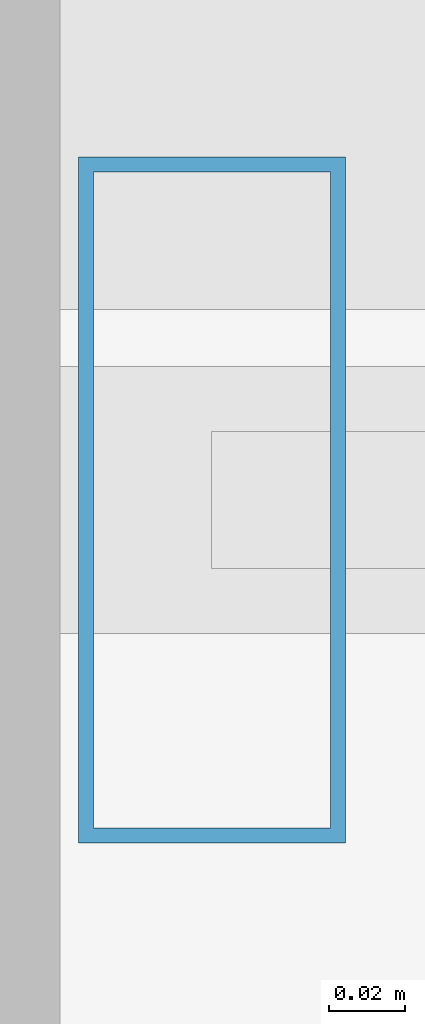
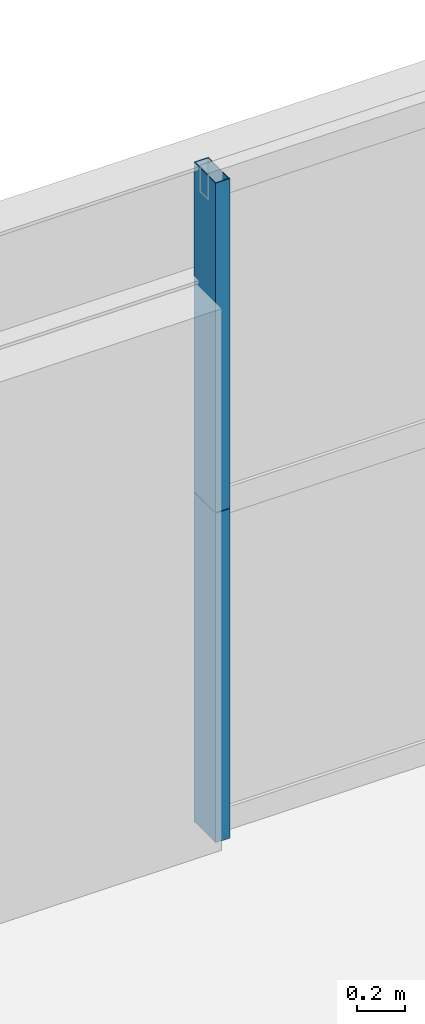
# One storey, part 25 of 41: 2 members, 1 element without a shape of its own.
"""IFC4 building model written with IfcOpenShell, lengths in metres."""

import ifcopenshell
import ifcopenshell.guid

model = None  # the IFC model being written
_history = None  # IfcOwnerHistory: only IFC2X3 demands one
_inside = {}  # id of a spatial element -> (the spatial element, [elements in it])
_under = {}  # id of a project, library or spatial element -> (it, [spatial elements below it])
_declared = {}  # id of a project -> (the project, [libraries it declares])
_typed = {}  # id of a type object -> (the type object, [elements of that type])
_made_of = {}  # id of a material, layer set ... -> (it, [elements and type objects made of it])


def new_model(schema):
    """Start an empty IFC model of exactly this schema.

    Asked for "IFC4X3", IfcOpenShell would pick the latest addendum, in which some entities
    have other attributes; the version numbers below select the first issue.
    IFC2X3 requires an IfcOwnerHistory on every rooted entity: one is made here for all.
    """
    global model, _history
    if schema == "IFC4X3":
        model = ifcopenshell.file(schema_version=(4, 3, 0, 0))
    else:
        model = ifcopenshell.file(schema=schema)
    _inside.clear()
    _under.clear()
    _declared.clear()
    _typed.clear()
    _made_of.clear()
    _history = None
    if model.schema == "IFC2X3":
        org = make("IfcOrganization", Name="unknown")
        user = make(
            "IfcPersonAndOrganization",
            ThePerson=make("IfcPerson", FamilyName="unknown"),
            TheOrganization=org,
        )
        app = make(
            "IfcApplication",
            ApplicationDeveloper=org,
            Version="unknown",
            ApplicationFullName="unknown",
            ApplicationIdentifier="unknown",
        )
        _history = make(
            "IfcOwnerHistory",
            OwningUser=user,
            OwningApplication=app,
            ChangeAction="ADDED",
            CreationDate=0,
        )
    return model


def make(cls, **values):
    """One entity of the class cls with the attributes given. An attribute that is None is left unset."""
    return model.create_entity(
        cls, **{name: value for name, value in values.items() if value is not None}
    )


def rooted(cls, **values):
    """An entity with a GlobalId (a new one), such as an element, a storey or a relation."""
    return make(cls, GlobalId=ifcopenshell.guid.new(), OwnerHistory=_history, **values)


def si_unit(unit_type, name, prefix=None):
    """IfcSIUnit, for example si_unit("LENGTHUNIT", "METRE", prefix="MILLI")."""
    return make("IfcSIUnit", UnitType=unit_type, Prefix=prefix, Name=name)


def assignment(units):
    """IfcUnitAssignment: the units of a project."""
    return None if units is None else make("IfcUnitAssignment", Units=units)


def point(xyz):
    """IfcCartesianPoint."""
    return None if xyz is None else make("IfcCartesianPoint", Coordinates=xyz)


def direction(xyz):
    """IfcDirection."""
    return None if xyz is None else make("IfcDirection", DirectionRatios=xyz)


def frame(location, z_axis=None, x_axis=None):
    """IfcAxis2Placement3D, a coordinate frame: its origin and axes. An axis left out is left unset."""
    return make(
        "IfcAxis2Placement3D",
        Location=point(location),
        Axis=direction(z_axis),
        RefDirection=direction(x_axis),
    )


def frame_2d(location, x_axis=None):
    """IfcAxis2Placement2D, a coordinate frame in the plane: its origin and x axis."""
    return make(
        "IfcAxis2Placement2D", Location=point(location), RefDirection=direction(x_axis)
    )


def origin():
    """The frame at (0, 0, 0) with its axes left unset."""
    return frame((0.0, 0.0, 0.0))


def origin_2d():
    """The frame at (0, 0) in the plane with its x axis left unset."""
    return frame_2d((0.0, 0.0))


def place(relative_to, where):
    """IfcLocalPlacement: puts the frame where relative to a parent placement (None: the world)."""
    return make(
        "IfcLocalPlacement", PlacementRelTo=relative_to, RelativePlacement=where
    )


def context(
    kind, dimensions, precision=None, world=None, true_north=None, identifier=None
):
    """IfcGeometricRepresentationContext, for example the 3D "Model" context."""
    return make(
        "IfcGeometricRepresentationContext",
        ContextIdentifier=identifier,
        ContextType=kind,
        CoordinateSpaceDimension=dimensions,
        Precision=precision,
        WorldCoordinateSystem=world,
        TrueNorth=true_north,
    )


def subcontext(parent, identifier, kind, view, scale=None):
    """IfcGeometricRepresentationSubContext, for example "Body" below "Model"."""
    return make(
        "IfcGeometricRepresentationSubContext",
        ContextIdentifier=identifier,
        ContextType=kind,
        ParentContext=parent,
        TargetScale=scale,
        TargetView=view,
    )


def project(units=None, contexts=None):
    """IfcProject with its units and contexts."""
    return rooted(
        "IfcProject",
        Name="project",
        RepresentationContexts=contexts,
        UnitsInContext=assignment(units),
    )


def spatial(cls, under=None, at=None, **own):
    """A site, building, storey or space (cls), placed at a placement, below another one or the project."""
    s = rooted(cls, ObjectPlacement=at, **own)
    if under is not None:
        _under.setdefault(under.id(), (under, []))[1].append(s)
    return s


def profile(cls, at=None, kind="AREA", **sizes):
    """A parametric profile (cls). Its sizes go by their IFC names, for example OverallWidth=200.0."""
    return make(cls, ProfileType=kind, Position=at, **sizes)


def hollow_rectangle(**sizes):
    """IfcRectangleHollowProfileDef."""
    return profile("IfcRectangleHollowProfileDef", **sizes)


def extrude(swept, where, along, depth):
    """IfcExtrudedAreaSolid: the profile swept, set in the frame where, extruded along a direction by depth."""
    return make(
        "IfcExtrudedAreaSolid",
        SweptArea=swept,
        Position=where,
        ExtrudedDirection=direction(along),
        Depth=depth,
    )


def shape(context_of_items, identifier, shape_type, items):
    """IfcShapeRepresentation: the items that make up one representation, for example the "Body"."""
    return make(
        "IfcShapeRepresentation",
        ContextOfItems=context_of_items,
        RepresentationIdentifier=identifier,
        RepresentationType=shape_type,
        Items=items,
    )


def source(mapping_origin, context_of_items, identifier, shape_type, items):
    """IfcRepresentationMap: a shape defined once, which mapped items show again and again."""
    return make(
        "IfcRepresentationMap",
        MappingOrigin=mapping_origin,
        MappedRepresentation=shape(context_of_items, identifier, shape_type, items),
    )


def transform(
    local_origin,
    x_axis=None,
    y_axis=None,
    z_axis=None,
    scale=None,
    scale2=None,
    scale3=None,
    uniform=True,
):
    """IfcCartesianTransformationOperator3D, or its non-uniform kind. x_axis, y_axis, z_axis: its Axis1, 2, 3."""
    if uniform:
        return make(
            "IfcCartesianTransformationOperator3D",
            Axis1=direction(x_axis),
            Axis2=direction(y_axis),
            LocalOrigin=point(local_origin),
            Scale=scale,
            Axis3=direction(z_axis),
        )
    return make(
        "IfcCartesianTransformationOperator3DnonUniform",
        Axis1=direction(x_axis),
        Axis2=direction(y_axis),
        LocalOrigin=point(local_origin),
        Scale=scale,
        Axis3=direction(z_axis),
        Scale2=scale2,
        Scale3=scale3,
    )


def mapped(mapping_source, mapping_target):
    """IfcMappedItem: shows the shape of a source again, moved by a transform."""
    return make(
        "IfcMappedItem", MappingSource=mapping_source, MappingTarget=mapping_target
    )


def material(Name=None, Category=None):
    """IfcMaterial."""
    return make("IfcMaterial", Name=Name, Category=Category)


def layer(
    of_material, thickness, ventilated=None, Name=None, Category=None, Priority=None
):
    """IfcMaterialLayer: one layer of a wall or slab, of a material (None: an air gap)."""
    return make(
        "IfcMaterialLayer",
        Material=of_material,
        LayerThickness=thickness,
        IsVentilated=ventilated,
        Name=Name,
        Category=Category,
        Priority=Priority,
    )


def layer_set(layers, Name=None):
    """IfcMaterialLayerSet."""
    return make("IfcMaterialLayerSet", MaterialLayers=layers, LayerSetName=Name)


def material_profile(
    of_material, cross_section, Name=None, Category=None, Priority=None
):
    """IfcMaterialProfile: a cross section and its material."""
    return make(
        "IfcMaterialProfile",
        Name=Name,
        Material=of_material,
        Profile=cross_section,
        Priority=Priority,
        Category=Category,
    )


def profile_set(profiles, Name=None, composite=None):
    """IfcMaterialProfileSet."""
    return make(
        "IfcMaterialProfileSet",
        Name=Name,
        MaterialProfiles=profiles,
        CompositeProfile=composite,
    )


def made_of(thing, what):
    """Note that an element or type object is made of a material, layer set ...; save() writes the relation."""
    if what is not None:
        _made_of.setdefault(what.id(), (what, []))[1].append(thing)
    return thing


def type_object(cls, material=None, **own):
    """A type object (cls), such as IfcWallType, which elements share."""
    return made_of(rooted(cls, **own), material)


def element(
    cls,
    number,
    at=None,
    inside=None,
    cuts=None,
    type_object=None,
    material=None,
    context=None,
    identifier="Body",
    shape_type=None,
    held_by="IfcProductDefinitionShape",
    body=None,
    shapes=None,
    **own,
):
    """One element of the class cls, such as IfcWall. Its Tag is "e" and its number.

    at: its placement. inside: the storey or other place that contains it. cuts: it is an
    opening in that element (IfcRelVoidsElement). A single representation is given by context,
    identifier, shape_type and body (its items); several are given by shapes. held_by: the class
    of the entity that holds the representations. save() writes the other relations.
    """
    e = rooted(cls, Tag="e%d" % number, ObjectPlacement=at, **own)
    if body is not None:
        shapes = [shape(context, identifier, shape_type, body)]
    if shapes is not None:
        e.Representation = make(held_by, Representations=shapes)
    if inside is not None:
        _inside.setdefault(inside.id(), (inside, []))[1].append(e)
    if cuts is not None:
        rooted(
            "IfcRelVoidsElement", RelatingBuildingElement=cuts, RelatedOpeningElement=e
        )
    if type_object is not None:
        _typed.setdefault(type_object.id(), (type_object, []))[1].append(e)
    return made_of(e, material)


def aggregate(whole, parts):
    """IfcRelAggregates: a whole, such as a stair, and the parts it consists of."""
    return rooted("IfcRelAggregates", RelatingObject=whole, RelatedObjects=parts)


def save(model, path):
    """Write the relations noted so far, then the file.

    IfcRelAggregates (storeys below a building ...), IfcRelContainedInSpatialStructure (elements
    in a storey), IfcRelDefinesByType, IfcRelAssociatesMaterial and IfcRelDeclares: one each for
    every whole, place, type object, material and project.
    """
    for whole, parts in _under.values():
        aggregate(whole, parts)
    for where, things in _inside.values():
        rooted(
            "IfcRelContainedInSpatialStructure",
            RelatedElements=things,
            RelatingStructure=where,
        )
    for kind, things in _typed.values():
        rooted("IfcRelDefinesByType", RelatedObjects=things, RelatingType=kind)
    for what, things in _made_of.values():
        rooted("IfcRelAssociatesMaterial", RelatedObjects=things, RelatingMaterial=what)
    for by, libraries in _declared.values():
        rooted("IfcRelDeclares", RelatingContext=by, RelatedDefinitions=libraries)
    model.write(path)


model = new_model("IFC4")

# Units and contexts
model_context = context("Model", 3, precision=1e-05, world=origin(), true_north=direction((0.0, 1.0)))
body_context = subcontext(model_context, "Body", "Model", "MODEL_VIEW")
ifc_project = project(units=[si_unit("LENGTHUNIT", "METRE"), si_unit("AREAUNIT", "SQUARE_METRE"), si_unit("VOLUMEUNIT", "CUBIC_METRE"), si_unit("PLANEANGLEUNIT", "RADIAN"), si_unit("MASSUNIT", "GRAM", prefix="KILO"), si_unit("THERMODYNAMICTEMPERATUREUNIT", "KELVIN"), si_unit("POWERUNIT", "WATT")], contexts=[model_context])

# Site, building, storey
site_placement = place(None, origin())
site = spatial("IfcSite", under=ifc_project, at=site_placement, CompositionType="ELEMENT")
building_placement = place(site_placement, origin())
building = spatial("IfcBuilding", under=site, at=building_placement, Name="Yuzanri Waterfront Tower", CompositionType="ELEMENT")
storey_placement = place(building_placement, frame((0.0, 0.0, 122.60009765625)))
storey = spatial("IfcBuildingStorey", under=building, at=storey_placement, Name="L32", CompositionType="ELEMENT", Elevation=122.60009765625)

# Curtain wall, members
ifc_material_1 = material(Name="Anodized Architectural Bronze", Category="metal")
ifc_layer = layer(ifc_material_1, 0.159912109375)
ifc_layer_set = layer_set([ifc_layer], Name="Anodized Architectural Bronze")
curtain_wall_type = type_object("IfcCurtainWallType", Name="Anodized Bronze Hotel Upper-Tier Solar-Control Unitized Curtain Wall 7800", PredefinedType="NOTDEFINED", material=ifc_layer_set)
curtain_wall_placement = place(storey_placement, origin())
curtain_wall = element("IfcCurtainWall", 1, at=curtain_wall_placement, inside=storey, type_object=curtain_wall_type, Name="L32 Curtain Wall CW-L32-NL", PredefinedType="NOTDEFINED")
ifc_material_2 = material(Name="Anodized Architectural Bronze", Category="metal")
ifc_material_profile = material_profile(ifc_material_2, hollow_rectangle(XDim=0.070068359375, YDim=0.179931640625, WallThickness=0.00390625, at=origin_2d()), Name="CWM 70x180")
ifc_profile_set = profile_set([ifc_material_profile], Name="Anodized Architectural Bronze")
member_type = type_object("IfcMemberType", Name="Anodized Bronze Standard Curtain-Wall Mullion 70x180", PredefinedType="MULLION", material=ifc_profile_set)
shared_shape = source(origin(), body_context, "Body", "SweptSolid", [
    extrude(hollow_rectangle(XDim=0.070068359375, YDim=0.179931640625, WallThickness=0.00390625, at=origin_2d()), origin(), (0.0, 0.0, 1.0), 1.68798828125),
])
member_1_placement = place(storey_placement, frame((20.7900390625, 49.25, 0.0), z_axis=(0.0, 0.0, 1.0), x_axis=(1.0, 0.0, 0.0)))
member_1 = element("IfcMember", 2, at=member_1_placement, type_object=member_type, Name="CW-L32-NL Lower Mullion 00", PredefinedType="MULLION", context=body_context, shape_type="MappedRepresentation", body=[
    mapped(shared_shape, transform((0.0, 0.0, 0.0), scale=1.0)),
])
member_2_placement = place(storey_placement, frame((20.7900390625, 49.25, 1.69189453125), z_axis=(0.0, 0.0, 1.0), x_axis=(1.0, 0.0, 0.0)))
member_2 = element("IfcMember", 3, at=member_2_placement, type_object=member_type, Name="CW-L32-NL Upper Mullion 00", PredefinedType="MULLION", context=body_context, shape_type="MappedRepresentation", body=[
    mapped(shared_shape, transform((0.0, 0.0, 0.0), scale=1.0)),
])
aggregate(curtain_wall, [member_1, member_2])

save(model, "model.ifc")
